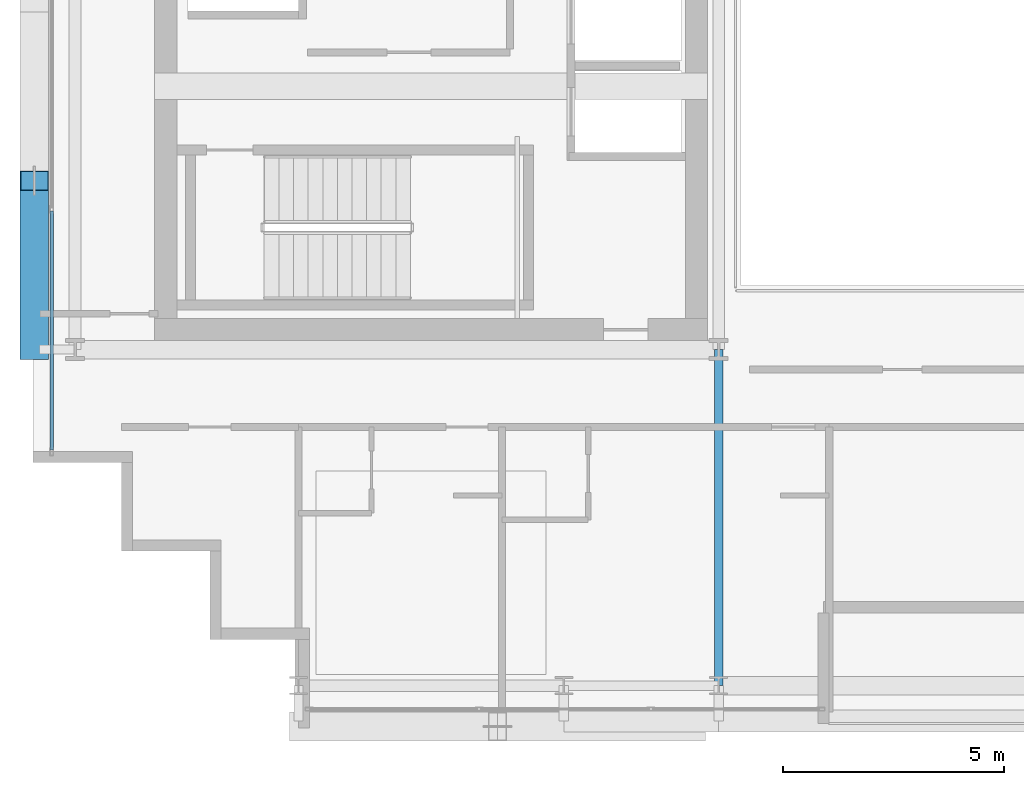
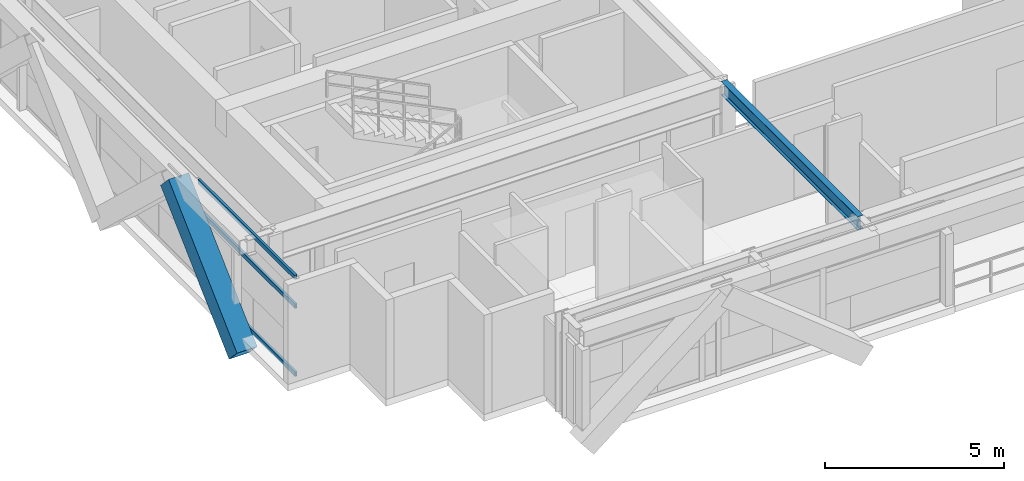
# One storey, part 3 of 31: 4 members, 1 beam, 1 element without a shape of its own.
"""IFC4 building model written with IfcOpenShell, lengths in metres."""

import ifcopenshell
import ifcopenshell.guid

model = None  # the IFC model being written
_history = None  # IfcOwnerHistory: only IFC2X3 demands one
_inside = {}  # id of a spatial element -> (the spatial element, [elements in it])
_under = {}  # id of a project, library or spatial element -> (it, [spatial elements below it])
_declared = {}  # id of a project -> (the project, [libraries it declares])
_typed = {}  # id of a type object -> (the type object, [elements of that type])
_made_of = {}  # id of a material, layer set ... -> (it, [elements and type objects made of it])


def new_model(schema):
    """Start an empty IFC model of exactly this schema.

    Asked for "IFC4X3", IfcOpenShell would pick the latest addendum, in which some entities
    have other attributes; the version numbers below select the first issue.
    IFC2X3 requires an IfcOwnerHistory on every rooted entity: one is made here for all.
    """
    global model, _history
    if schema == "IFC4X3":
        model = ifcopenshell.file(schema_version=(4, 3, 0, 0))
    else:
        model = ifcopenshell.file(schema=schema)
    _inside.clear()
    _under.clear()
    _declared.clear()
    _typed.clear()
    _made_of.clear()
    _history = None
    if model.schema == "IFC2X3":
        org = make("IfcOrganization", Name="unknown")
        user = make(
            "IfcPersonAndOrganization",
            ThePerson=make("IfcPerson", FamilyName="unknown"),
            TheOrganization=org,
        )
        app = make(
            "IfcApplication",
            ApplicationDeveloper=org,
            Version="unknown",
            ApplicationFullName="unknown",
            ApplicationIdentifier="unknown",
        )
        _history = make(
            "IfcOwnerHistory",
            OwningUser=user,
            OwningApplication=app,
            ChangeAction="ADDED",
            CreationDate=0,
        )
    return model


def make(cls, **values):
    """One entity of the class cls with the attributes given. An attribute that is None is left unset."""
    return model.create_entity(
        cls, **{name: value for name, value in values.items() if value is not None}
    )


def rooted(cls, **values):
    """An entity with a GlobalId (a new one), such as an element, a storey or a relation."""
    return make(cls, GlobalId=ifcopenshell.guid.new(), OwnerHistory=_history, **values)


def si_unit(unit_type, name, prefix=None):
    """IfcSIUnit, for example si_unit("LENGTHUNIT", "METRE", prefix="MILLI")."""
    return make("IfcSIUnit", UnitType=unit_type, Prefix=prefix, Name=name)


def assignment(units):
    """IfcUnitAssignment: the units of a project."""
    return None if units is None else make("IfcUnitAssignment", Units=units)


def point(xyz):
    """IfcCartesianPoint."""
    return None if xyz is None else make("IfcCartesianPoint", Coordinates=xyz)


def direction(xyz):
    """IfcDirection."""
    return None if xyz is None else make("IfcDirection", DirectionRatios=xyz)


def frame(location, z_axis=None, x_axis=None):
    """IfcAxis2Placement3D, a coordinate frame: its origin and axes. An axis left out is left unset."""
    return make(
        "IfcAxis2Placement3D",
        Location=point(location),
        Axis=direction(z_axis),
        RefDirection=direction(x_axis),
    )


def frame_2d(location, x_axis=None):
    """IfcAxis2Placement2D, a coordinate frame in the plane: its origin and x axis."""
    return make(
        "IfcAxis2Placement2D", Location=point(location), RefDirection=direction(x_axis)
    )


def origin():
    """The frame at (0, 0, 0) with its axes left unset."""
    return frame((0.0, 0.0, 0.0))


def origin_2d():
    """The frame at (0, 0) in the plane with its x axis left unset."""
    return frame_2d((0.0, 0.0))


def place(relative_to, where):
    """IfcLocalPlacement: puts the frame where relative to a parent placement (None: the world)."""
    return make(
        "IfcLocalPlacement", PlacementRelTo=relative_to, RelativePlacement=where
    )


def context(
    kind, dimensions, precision=None, world=None, true_north=None, identifier=None
):
    """IfcGeometricRepresentationContext, for example the 3D "Model" context."""
    return make(
        "IfcGeometricRepresentationContext",
        ContextIdentifier=identifier,
        ContextType=kind,
        CoordinateSpaceDimension=dimensions,
        Precision=precision,
        WorldCoordinateSystem=world,
        TrueNorth=true_north,
    )


def subcontext(parent, identifier, kind, view, scale=None):
    """IfcGeometricRepresentationSubContext, for example "Body" below "Model"."""
    return make(
        "IfcGeometricRepresentationSubContext",
        ContextIdentifier=identifier,
        ContextType=kind,
        ParentContext=parent,
        TargetScale=scale,
        TargetView=view,
    )


def project(units=None, contexts=None):
    """IfcProject with its units and contexts."""
    return rooted(
        "IfcProject",
        Name="project",
        RepresentationContexts=contexts,
        UnitsInContext=assignment(units),
    )


def spatial(cls, under=None, at=None, **own):
    """A site, building, storey or space (cls), placed at a placement, below another one or the project."""
    s = rooted(cls, ObjectPlacement=at, **own)
    if under is not None:
        _under.setdefault(under.id(), (under, []))[1].append(s)
    return s


def profile(cls, at=None, kind="AREA", **sizes):
    """A parametric profile (cls). Its sizes go by their IFC names, for example OverallWidth=200.0."""
    return make(cls, ProfileType=kind, Position=at, **sizes)


def hollow_rectangle(**sizes):
    """IfcRectangleHollowProfileDef."""
    return profile("IfcRectangleHollowProfileDef", **sizes)


def i_section(**sizes):
    """IfcIShapeProfileDef."""
    return profile("IfcIShapeProfileDef", **sizes)


def extrude(swept, where, along, depth):
    """IfcExtrudedAreaSolid: the profile swept, set in the frame where, extruded along a direction by depth."""
    return make(
        "IfcExtrudedAreaSolid",
        SweptArea=swept,
        Position=where,
        ExtrudedDirection=direction(along),
        Depth=depth,
    )


def shape(context_of_items, identifier, shape_type, items):
    """IfcShapeRepresentation: the items that make up one representation, for example the "Body"."""
    return make(
        "IfcShapeRepresentation",
        ContextOfItems=context_of_items,
        RepresentationIdentifier=identifier,
        RepresentationType=shape_type,
        Items=items,
    )


def source(mapping_origin, context_of_items, identifier, shape_type, items):
    """IfcRepresentationMap: a shape defined once, which mapped items show again and again."""
    return make(
        "IfcRepresentationMap",
        MappingOrigin=mapping_origin,
        MappedRepresentation=shape(context_of_items, identifier, shape_type, items),
    )


def transform(
    local_origin,
    x_axis=None,
    y_axis=None,
    z_axis=None,
    scale=None,
    scale2=None,
    scale3=None,
    uniform=True,
):
    """IfcCartesianTransformationOperator3D, or its non-uniform kind. x_axis, y_axis, z_axis: its Axis1, 2, 3."""
    if uniform:
        return make(
            "IfcCartesianTransformationOperator3D",
            Axis1=direction(x_axis),
            Axis2=direction(y_axis),
            LocalOrigin=point(local_origin),
            Scale=scale,
            Axis3=direction(z_axis),
        )
    return make(
        "IfcCartesianTransformationOperator3DnonUniform",
        Axis1=direction(x_axis),
        Axis2=direction(y_axis),
        LocalOrigin=point(local_origin),
        Scale=scale,
        Axis3=direction(z_axis),
        Scale2=scale2,
        Scale3=scale3,
    )


def mapped(mapping_source, mapping_target):
    """IfcMappedItem: shows the shape of a source again, moved by a transform."""
    return make(
        "IfcMappedItem", MappingSource=mapping_source, MappingTarget=mapping_target
    )


def material(Name=None, Category=None):
    """IfcMaterial."""
    return make("IfcMaterial", Name=Name, Category=Category)


def layer(
    of_material, thickness, ventilated=None, Name=None, Category=None, Priority=None
):
    """IfcMaterialLayer: one layer of a wall or slab, of a material (None: an air gap)."""
    return make(
        "IfcMaterialLayer",
        Material=of_material,
        LayerThickness=thickness,
        IsVentilated=ventilated,
        Name=Name,
        Category=Category,
        Priority=Priority,
    )


def layer_set(layers, Name=None):
    """IfcMaterialLayerSet."""
    return make("IfcMaterialLayerSet", MaterialLayers=layers, LayerSetName=Name)


def material_profile(
    of_material, cross_section, Name=None, Category=None, Priority=None
):
    """IfcMaterialProfile: a cross section and its material."""
    return make(
        "IfcMaterialProfile",
        Name=Name,
        Material=of_material,
        Profile=cross_section,
        Priority=Priority,
        Category=Category,
    )


def profile_set(profiles, Name=None, composite=None):
    """IfcMaterialProfileSet."""
    return make(
        "IfcMaterialProfileSet",
        Name=Name,
        MaterialProfiles=profiles,
        CompositeProfile=composite,
    )


def made_of(thing, what):
    """Note that an element or type object is made of a material, layer set ...; save() writes the relation."""
    if what is not None:
        _made_of.setdefault(what.id(), (what, []))[1].append(thing)
    return thing


def type_object(cls, material=None, **own):
    """A type object (cls), such as IfcWallType, which elements share."""
    return made_of(rooted(cls, **own), material)


def element(
    cls,
    number,
    at=None,
    inside=None,
    cuts=None,
    type_object=None,
    material=None,
    context=None,
    identifier="Body",
    shape_type=None,
    held_by="IfcProductDefinitionShape",
    body=None,
    shapes=None,
    **own,
):
    """One element of the class cls, such as IfcWall. Its Tag is "e" and its number.

    at: its placement. inside: the storey or other place that contains it. cuts: it is an
    opening in that element (IfcRelVoidsElement). A single representation is given by context,
    identifier, shape_type and body (its items); several are given by shapes. held_by: the class
    of the entity that holds the representations. save() writes the other relations.
    """
    e = rooted(cls, Tag="e%d" % number, ObjectPlacement=at, **own)
    if body is not None:
        shapes = [shape(context, identifier, shape_type, body)]
    if shapes is not None:
        e.Representation = make(held_by, Representations=shapes)
    if inside is not None:
        _inside.setdefault(inside.id(), (inside, []))[1].append(e)
    if cuts is not None:
        rooted(
            "IfcRelVoidsElement", RelatingBuildingElement=cuts, RelatedOpeningElement=e
        )
    if type_object is not None:
        _typed.setdefault(type_object.id(), (type_object, []))[1].append(e)
    return made_of(e, material)


def aggregate(whole, parts):
    """IfcRelAggregates: a whole, such as a stair, and the parts it consists of."""
    return rooted("IfcRelAggregates", RelatingObject=whole, RelatedObjects=parts)


def save(model, path):
    """Write the relations noted so far, then the file.

    IfcRelAggregates (storeys below a building ...), IfcRelContainedInSpatialStructure (elements
    in a storey), IfcRelDefinesByType, IfcRelAssociatesMaterial and IfcRelDeclares: one each for
    every whole, place, type object, material and project.
    """
    for whole, parts in _under.values():
        aggregate(whole, parts)
    for where, things in _inside.values():
        rooted(
            "IfcRelContainedInSpatialStructure",
            RelatedElements=things,
            RelatingStructure=where,
        )
    for kind, things in _typed.values():
        rooted("IfcRelDefinesByType", RelatedObjects=things, RelatingType=kind)
    for what, things in _made_of.values():
        rooted("IfcRelAssociatesMaterial", RelatedObjects=things, RelatingMaterial=what)
    for by, libraries in _declared.values():
        rooted("IfcRelDeclares", RelatingContext=by, RelatedDefinitions=libraries)
    model.write(path)


model = new_model("IFC4")

# Units and contexts
model_context = context("Model", 3, precision=1e-05, world=origin(), true_north=direction((0.0, 1.0)))
body_context = subcontext(model_context, "Body", "Model", "MODEL_VIEW")
ifc_project = project(units=[si_unit("LENGTHUNIT", "METRE"), si_unit("AREAUNIT", "SQUARE_METRE"), si_unit("VOLUMEUNIT", "CUBIC_METRE"), si_unit("PLANEANGLEUNIT", "RADIAN"), si_unit("MASSUNIT", "GRAM", prefix="KILO")], contexts=[model_context])

# Site, building, storey
site_placement = place(None, origin())
site = spatial("IfcSite", under=ifc_project, at=site_placement, CompositionType="ELEMENT")
building_placement = place(site_placement, origin())
building = spatial("IfcBuilding", under=site, at=building_placement, Name="Ocotamira Hotel", CompositionType="ELEMENT")
storey_placement = place(building_placement, frame((0.0, 0.0, 202.800048828125)))
storey = spatial("IfcBuildingStorey", under=building, at=storey_placement, Name="L51", CompositionType="ELEMENT", Elevation=202.800048828125)

# Beam
ifc_material_1 = material(Name="Steel ASTM A992 Grade 50", Category="steel")
ifc_material_profile_1 = material_profile(ifc_material_1, i_section(OverallWidth=0.18994140625, OverallDepth=0.45703125, WebThickness=0.009033203125, FlangeThickness=0.014404296875, FilletRadius=0.010009765625, at=origin_2d()), Name="W18X50")
ifc_profile_set_1 = profile_set([ifc_material_profile_1], Name="Steel ASTM A992 Grade 50")
beam_type = type_object("IfcBeamType", Name="BM-SEC-W18X50", PredefinedType="JOIST", material=ifc_profile_set_1)
shared_shape_1 = source(origin(), body_context, "Body", "SweptSolid", [
    extrude(i_section(OverallWidth=0.18994140625, OverallDepth=0.45703125, WebThickness=0.009033203125, FlangeThickness=0.014404296875, FilletRadius=0.010009765625, at=origin_2d()), origin(), (0.0, 0.0, 1.0), 7.60009765625),
])
beam_placement = place(storey_placement, frame((23.5, 6.949951171875, 3.141357421875), z_axis=(0.0, 1.0, 0.0), x_axis=(-1.0, 0.0, 0.0)))
element("IfcBeam", 1, at=beam_placement, inside=storey, type_object=beam_type, Name="L51 Beam X23.5 Y6.95-14.55", PredefinedType="JOIST", context=body_context, shape_type="MappedRepresentation", body=[
    mapped(shared_shape_1, transform((0.0, 0.0, 0.0), scale=1.0)),
])

# Member
ifc_material_2 = material(Name="Pale-metal coated steel ASTM A913 Grade 65", Category="steel")
ifc_material_profile_2 = material_profile(ifc_material_2, hollow_rectangle(XDim=0.64990234375, YDim=0.64990234375, WallThickness=0.02197265625, at=origin_2d()), Name="BOX650X650X22")
ifc_profile_set_2 = profile_set([ifc_material_profile_2], Name="Pale-metal coated steel ASTM A913 Grade 65")
member_type_1 = type_object("IfcMemberType", Name="MEM-EXO-BOX650", PredefinedType="BRACE", material=ifc_profile_set_2)
shared_shape_2 = source(origin(), body_context, "Body", "SweptSolid", [
    extrude(hollow_rectangle(XDim=0.64990234375, YDim=0.64990234375, WallThickness=0.02197265625, at=origin_2d()), origin(), (0.0, 0.0, 1.0), 5.24658203125),
])
member_1_placement = place(storey_placement, frame((8.030029296875, 14.550048828125, -0.47998046875), z_axis=(0.0, 0.72746596067, 0.686143772154), x_axis=(-1.0, 0.0, 0.0)))
element("IfcMember", 2, at=member_1_placement, inside=storey, type_object=member_type_1, Name="L51 Exoskeleton Diagrid W0.1", PredefinedType="BRACE", context=body_context, shape_type="MappedRepresentation", body=[
    mapped(shared_shape_2, transform((0.0, 0.0, 0.0), scale=1.0)),
])

# Curtain wall, members
ifc_material_3 = material(Name="Anodised pale-metal aluminium and solar glass", Category="aluminium")
ifc_layer = layer(ifc_material_3, 0.199951171875)
ifc_layer_set = layer_set([ifc_layer], Name="Anodised pale-metal aluminium and solar glass")
curtain_wall_type = type_object("IfcCurtainWallType", Name="CW-SYS4-Z3", PredefinedType="NOTDEFINED", material=ifc_layer_set)
curtain_wall_placement = place(storey_placement, origin())
curtain_wall = element("IfcCurtainWall", 3, at=curtain_wall_placement, inside=storey, type_object=curtain_wall_type, Name="L51 Curtain Wall CW-4 CW-L51-W", PredefinedType="NOTDEFINED")
ifc_material_4 = material(Name="Anodised pale-metal aluminium 6063-T6", Category="aluminium")
ifc_material_profile_3 = material_profile(ifc_material_4, hollow_rectangle(XDim=0.074951171875, YDim=0.14990234375, WallThickness=0.006103515625, at=origin_2d()), Name="HSS150X75X6")
ifc_profile_set_3 = profile_set([ifc_material_profile_3], Name="Anodised pale-metal aluminium 6063-T6")
member_type_2 = type_object("IfcMemberType", Name="CWT-150X75", PredefinedType="USERDEFINED", material=ifc_profile_set_3)
shared_shape_3 = source(origin(), body_context, "Body", "SweptSolid", [
    extrude(hollow_rectangle(XDim=0.074951171875, YDim=0.14990234375, WallThickness=0.006103515625, at=origin_2d()), origin(), (0.0, 0.0, 1.0), 5.39990234375),
])
member_2_placement = place(storey_placement, frame((8.419921875, 12.280029296875, 0.037353515625), z_axis=(0.0, 1.0, 0.0), x_axis=(-1.0, 0.0, 0.0)))
member_2 = element("IfcMember", 4, at=member_2_placement, type_object=member_type_2, Name="CW-4 transom 1.1", ObjectType="TRANSOM", PredefinedType="USERDEFINED", context=body_context, shape_type="MappedRepresentation", body=[
    mapped(shared_shape_3, transform((0.0, 0.0, 0.0), scale=1.0)),
])
member_3_placement = place(storey_placement, frame((8.419921875, 12.280029296875, 2.349853515625), z_axis=(0.0, 1.0, 0.0), x_axis=(-1.0, 0.0, 0.0)))
member_3 = element("IfcMember", 5, at=member_3_placement, type_object=member_type_2, Name="CW-4 transom 1.2", ObjectType="TRANSOM", PredefinedType="USERDEFINED", context=body_context, shape_type="MappedRepresentation", body=[
    mapped(shared_shape_3, transform((0.0, 0.0, 0.0), scale=1.0)),
])
member_4_placement = place(storey_placement, frame((8.419921875, 12.280029296875, 3.33251953125), z_axis=(0.0, 1.0, 0.0), x_axis=(-1.0, 0.0, 0.0)))
member_4 = element("IfcMember", 6, at=member_4_placement, type_object=member_type_2, Name="CW-4 transom 1.3", ObjectType="TRANSOM", PredefinedType="USERDEFINED", context=body_context, shape_type="MappedRepresentation", body=[
    mapped(shared_shape_3, transform((0.0, 0.0, 0.0), scale=1.0)),
])
aggregate(curtain_wall, [member_2, member_3, member_4])

save(model, "model.ifc")
